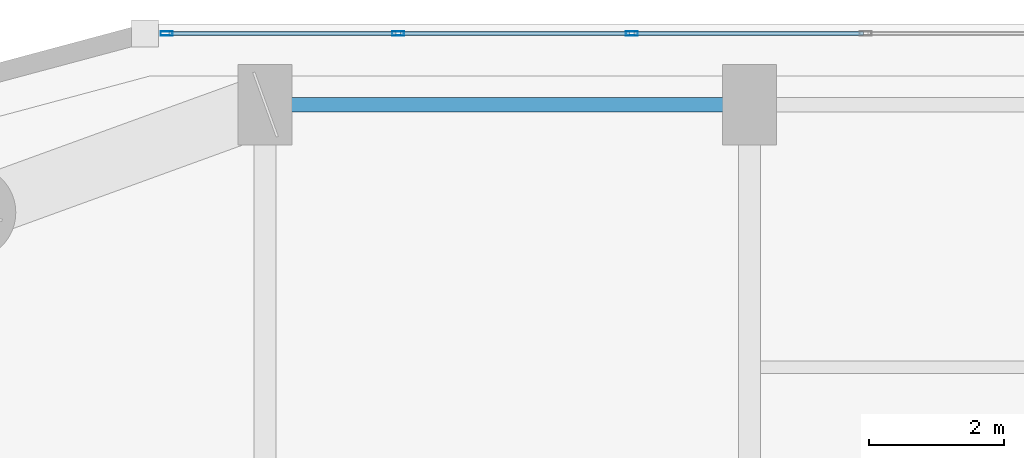
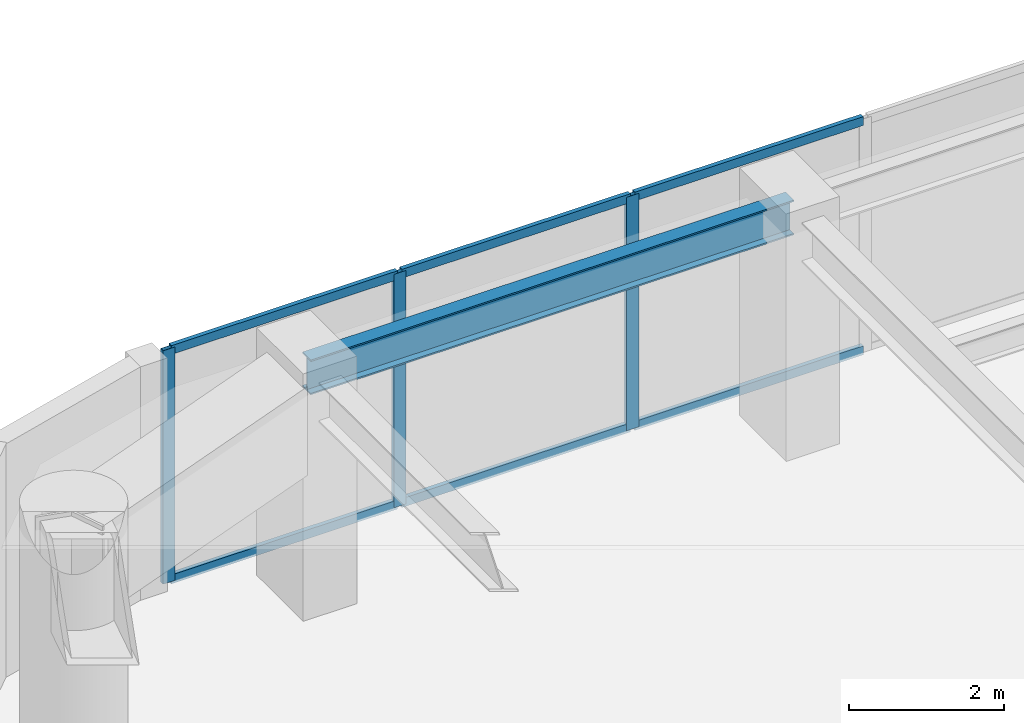
# One storey, part 17 of 30: 9 members, 1 beam, 1 element without a shape of its own.
"""IFC4 building model written with IfcOpenShell, lengths in metres."""

from ifc_helpers import new_model, si_unit, direction, frame, origin, origin_2d, place, context, subcontext, project, spatial, hollow_rectangle, i_section, extrude, material, layer, layer_set, material_profile, profile_set, type_object, element, aggregate, save


model = new_model("IFC4")

# Units and contexts
model_context = context("Model", 3, precision=1e-05, world=origin(), true_north=direction((0.0, 1.0)))
body_context = subcontext(model_context, "Body", "Model", "MODEL_VIEW")
ifc_project = project(units=[si_unit("LENGTHUNIT", "METRE"), si_unit("AREAUNIT", "SQUARE_METRE"), si_unit("VOLUMEUNIT", "CUBIC_METRE"), si_unit("PLANEANGLEUNIT", "RADIAN"), si_unit("MASSUNIT", "GRAM", prefix="KILO")], contexts=[model_context])

# Site, building, storey
site_placement = place(None, origin())
site = spatial("IfcSite", under=ifc_project, at=site_placement, CompositionType="ELEMENT")
building_placement = place(site_placement, origin())
building = spatial("IfcBuilding", under=site, at=building_placement, Name="Kiyonajd Concourse Tower", CompositionType="ELEMENT")
storey_placement = place(building_placement, frame((0.0, 0.0, 154.5)))
storey = spatial("IfcBuildingStorey", under=building, at=storey_placement, Name="L39", CompositionType="ELEMENT", Elevation=154.5)

# Beam
ifc_material_1 = material(Name="Steel ASTM A992 Grade 50", Category="steel")
ifc_material_profile_1 = material_profile(ifc_material_1, i_section(OverallWidth=0.214111328125, OverallDepth=0.549072265625, WebThickness=0.0146484375, FlangeThickness=0.023681640625, at=origin_2d()), Name="W530X138")
ifc_profile_set_1 = profile_set([ifc_material_profile_1], Name="Steel ASTM A992 Grade 50")
beam_type = type_object("IfcBeamType", Name="BM-SPAN-530A", PredefinedType="SPANDREL", material=ifc_profile_set_1)
beam_placement = place(storey_placement, frame((32.39990234375, 61.199951171875, 3.405517578125), z_axis=(-1.0, 0.0, 0.0), x_axis=(0.0, -1.0, 0.0)))
element("IfcBeam", 1, at=beam_placement, inside=storey, type_object=beam_type, Name="L39 Perimeter Bundled Tube Spandrel", PredefinedType="SPANDREL", context=body_context, shape_type="SweptSolid", body=[
    extrude(i_section(OverallWidth=0.214111328125, OverallDepth=0.549072265625, WebThickness=0.0146484375, FlangeThickness=0.023681640625, at=origin_2d()), origin(), (0.0, 0.0, 1.0), 7.199951171875),
])

# Curtain wall, members
ifc_material_2 = material(Name="Thermally Broken Anodised Aluminium", Category="aluminium")
ifc_layer = layer(ifc_material_2, 0.179931640625)
ifc_layer_set = layer_set([ifc_layer], Name="Thermally Broken Anodised Aluminium")
curtain_wall_type = type_object("IfcCurtainWallType", Name="CW-SYS-03", PredefinedType="NOTDEFINED", material=ifc_layer_set)
curtain_wall_placement = place(storey_placement, origin())
curtain_wall = element("IfcCurtainWall", 2, at=curtain_wall_placement, inside=storey, type_object=curtain_wall_type, Name="L39 Unitised Curtain Wall CW3", PredefinedType="NOTDEFINED")
ifc_material_profile_2 = material_profile(ifc_material_2, hollow_rectangle(XDim=0.06494140625, YDim=0.179931640625, WallThickness=0.00390625, at=origin_2d()), Name="MULL-65x180")
ifc_profile_set_2 = profile_set([ifc_material_profile_2], Name="Thermally Broken Anodised Aluminium")
member_type_1 = type_object("IfcMemberType", Name="MB-CW-MULL1", PredefinedType="MULLION", material=ifc_profile_set_2)
member_1_placement = place(storey_placement, frame((23.740966796875, 62.260009765625, 0.0), z_axis=(0.0, 0.0, 1.0), x_axis=(0.0, 1.0, 0.0)))
member_1 = element("IfcMember", 3, at=member_1_placement, type_object=member_type_1, Name="CW3 mullion 1", PredefinedType="MULLION", context=body_context, shape_type="SweptSolid", body=[
    extrude(hollow_rectangle(XDim=0.06494140625, YDim=0.179931640625, WallThickness=0.00390625, at=origin_2d()), origin(), (0.0, 0.0, 1.0), 3.679931640625),
])
member_2_placement = place(storey_placement, frame((27.180908203125, 62.260009765625, 0.0), z_axis=(0.0, 0.0, 1.0), x_axis=(0.0, 1.0, 0.0)))
member_2 = element("IfcMember", 4, at=member_2_placement, type_object=member_type_1, Name="CW3 mullion 2", PredefinedType="MULLION", context=body_context, shape_type="SweptSolid", body=[
    extrude(hollow_rectangle(XDim=0.06494140625, YDim=0.179931640625, WallThickness=0.00390625, at=origin_2d()), origin(), (0.0, 0.0, 1.0), 3.679931640625),
])
member_3_placement = place(storey_placement, frame((30.6533203125, 62.260009765625, 0.0), z_axis=(0.0, 0.0, 1.0), x_axis=(0.0, 1.0, 0.0)))
member_3 = element("IfcMember", 5, at=member_3_placement, type_object=member_type_1, Name="CW3 mullion 3", PredefinedType="MULLION", context=body_context, shape_type="SweptSolid", body=[
    extrude(hollow_rectangle(XDim=0.06494140625, YDim=0.179931640625, WallThickness=0.00390625, at=origin_2d()), origin(), (0.0, 0.0, 1.0), 3.679931640625),
])
ifc_material_profile_3 = material_profile(ifc_material_2, hollow_rectangle(XDim=0.06494140625, YDim=0.139892578125, WallThickness=0.00390625, at=origin_2d()), Name="TRAN-65x140")
ifc_profile_set_3 = profile_set([ifc_material_profile_3], Name="Thermally Broken Anodised Aluminium")
member_type_2 = type_object("IfcMemberType", Name="MB-CW-TRAN1", PredefinedType="USERDEFINED", material=ifc_profile_set_3)
member_4_placement = place(storey_placement, frame((23.7734375, 62.260009765625, 0.032470703125), z_axis=(1.0, 0.0, 0.0), x_axis=(0.0, 1.0, 0.0)))
member_4 = element("IfcMember", 6, at=member_4_placement, type_object=member_type_2, Name="CW3 transom 1.1", ObjectType="TRANSOM", PredefinedType="USERDEFINED", context=body_context, shape_type="SweptSolid", body=[
    extrude(hollow_rectangle(XDim=0.06494140625, YDim=0.139892578125, WallThickness=0.00390625, at=origin_2d()), origin(), (0.0, 0.0, 1.0), 3.374755859375),
])
member_5_placement = place(storey_placement, frame((23.7734375, 62.260009765625, 3.6474609375), z_axis=(1.0, 0.0, 0.0), x_axis=(0.0, 1.0, 0.0)))
member_5 = element("IfcMember", 7, at=member_5_placement, type_object=member_type_2, Name="CW3 transom 1.2", ObjectType="TRANSOM", PredefinedType="USERDEFINED", context=body_context, shape_type="SweptSolid", body=[
    extrude(hollow_rectangle(XDim=0.06494140625, YDim=0.139892578125, WallThickness=0.00390625, at=origin_2d()), origin(), (0.0, 0.0, 1.0), 3.374755859375),
])
member_6_placement = place(storey_placement, frame((27.21337890625, 62.260009765625, 0.032470703125), z_axis=(1.0, 0.0, 0.0), x_axis=(0.0, 1.0, 0.0)))
member_6 = element("IfcMember", 8, at=member_6_placement, type_object=member_type_2, Name="CW3 transom 2.1", ObjectType="TRANSOM", PredefinedType="USERDEFINED", context=body_context, shape_type="SweptSolid", body=[
    extrude(hollow_rectangle(XDim=0.06494140625, YDim=0.139892578125, WallThickness=0.00390625, at=origin_2d()), origin(), (0.0, 0.0, 1.0), 3.4072265625),
])
member_7_placement = place(storey_placement, frame((27.21337890625, 62.260009765625, 3.6474609375), z_axis=(1.0, 0.0, 0.0), x_axis=(0.0, 1.0, 0.0)))
member_7 = element("IfcMember", 9, at=member_7_placement, type_object=member_type_2, Name="CW3 transom 2.2", ObjectType="TRANSOM", PredefinedType="USERDEFINED", context=body_context, shape_type="SweptSolid", body=[
    extrude(hollow_rectangle(XDim=0.06494140625, YDim=0.139892578125, WallThickness=0.00390625, at=origin_2d()), origin(), (0.0, 0.0, 1.0), 3.4072265625),
])
member_8_placement = place(storey_placement, frame((30.685791015625, 62.260009765625, 0.032470703125), z_axis=(1.0, 0.0, 0.0), x_axis=(0.0, 1.0, 0.0)))
member_8 = element("IfcMember", 10, at=member_8_placement, type_object=member_type_2, Name="CW3 transom 3.1", ObjectType="TRANSOM", PredefinedType="USERDEFINED", context=body_context, shape_type="SweptSolid", body=[
    extrude(hollow_rectangle(XDim=0.06494140625, YDim=0.139892578125, WallThickness=0.00390625, at=origin_2d()), origin(), (0.0, 0.0, 1.0), 3.4072265625),
])
member_9_placement = place(storey_placement, frame((30.685791015625, 62.260009765625, 3.6474609375), z_axis=(1.0, 0.0, 0.0), x_axis=(0.0, 1.0, 0.0)))
member_9 = element("IfcMember", 11, at=member_9_placement, type_object=member_type_2, Name="CW3 transom 3.2", ObjectType="TRANSOM", PredefinedType="USERDEFINED", context=body_context, shape_type="SweptSolid", body=[
    extrude(hollow_rectangle(XDim=0.06494140625, YDim=0.139892578125, WallThickness=0.00390625, at=origin_2d()), origin(), (0.0, 0.0, 1.0), 3.4072265625),
])
aggregate(curtain_wall, [member_1, member_2, member_3, member_4, member_5, member_6, member_7, member_8, member_9])

save(model, "model.ifc")
